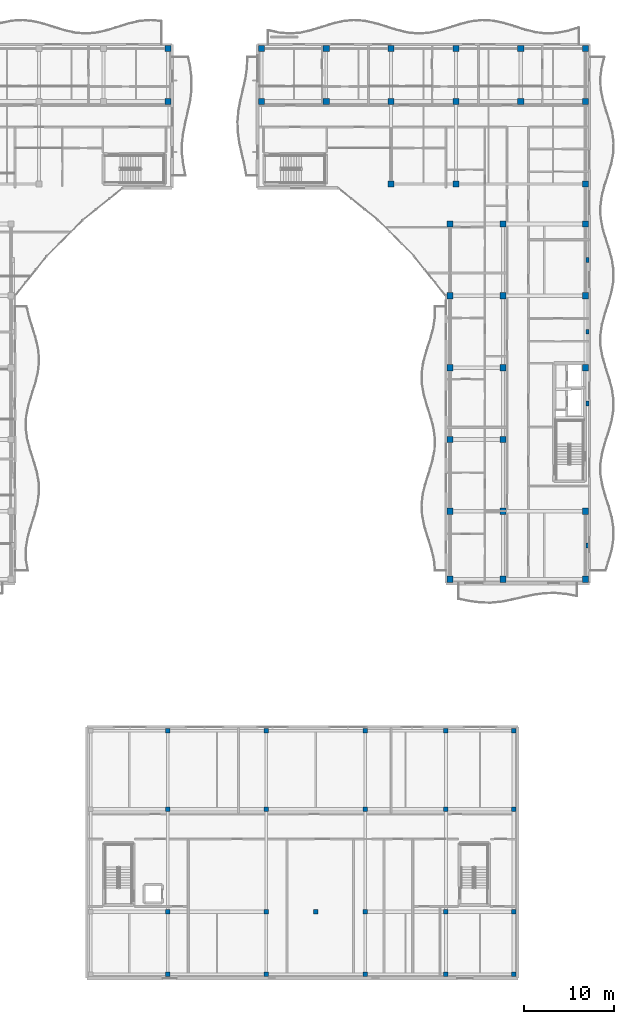
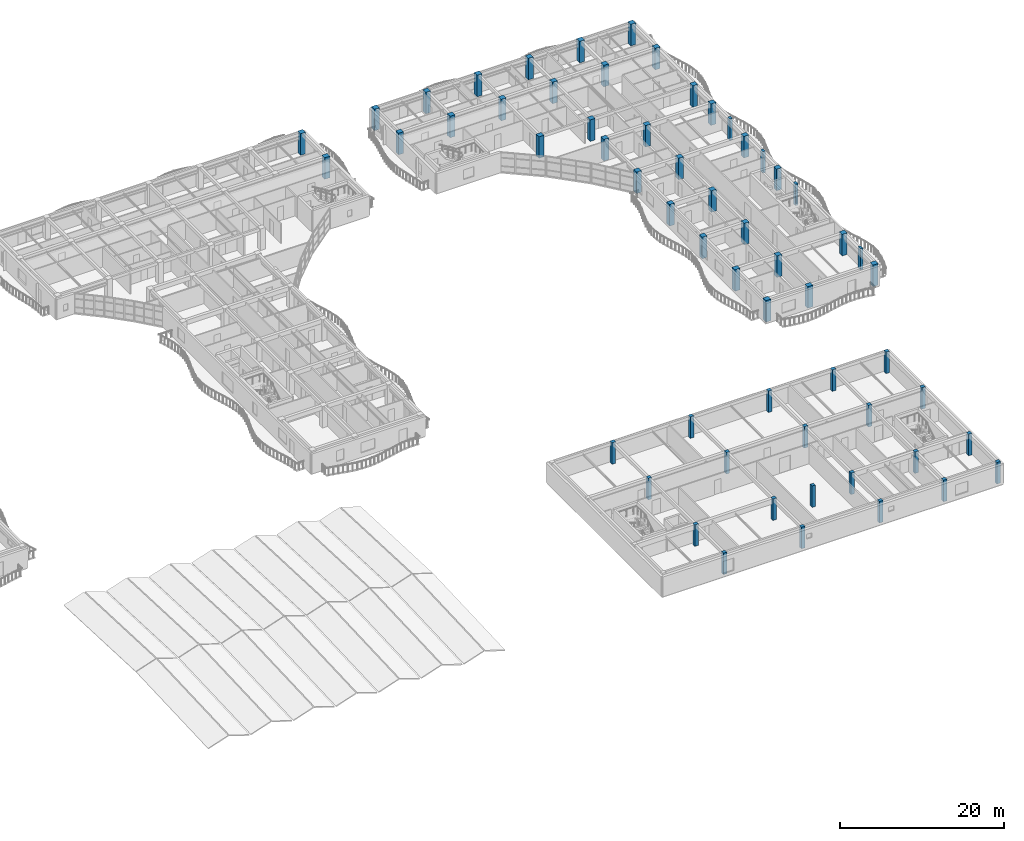
# One storey, part 3 of 89: 59 columns.
"""IFC4 building model written with IfcOpenShell, lengths in metres."""

from ifc_helpers import new_model, si_unit, direction, frame, origin, origin_2d, place, context, subcontext, project, spatial, rectangle, extrude, material, material_profile, profile_set, type_object, element, save


model = new_model("IFC4")

# Units and contexts
model_context = context("Model", 3, precision=1e-05, world=origin(), true_north=direction((0.0, 1.0)))
body_context = subcontext(model_context, "Body", "Model", "MODEL_VIEW")
ifc_project = project(units=[si_unit("LENGTHUNIT", "METRE"), si_unit("AREAUNIT", "SQUARE_METRE"), si_unit("VOLUMEUNIT", "CUBIC_METRE"), si_unit("PLANEANGLEUNIT", "RADIAN"), si_unit("MASSUNIT", "GRAM", prefix="KILO")], contexts=[model_context])

# Site, building, storey
site_placement = place(None, origin())
site = spatial("IfcSite", under=ifc_project, at=site_placement, CompositionType="ELEMENT")
building_placement = place(site_placement, origin())
building = spatial("IfcBuilding", under=site, at=building_placement, Name="Keldmere Railside Commons", CompositionType="ELEMENT")
storey_placement = place(building_placement, frame((0.0, 0.0, 7.360107421875)))
storey = spatial("IfcBuildingStorey", under=building, at=storey_placement, Name="L02", CompositionType="ELEMENT", Elevation=7.360107421875)

# Columns
ifc_material_1 = material(Name="Architectural Precast Concrete H-35 (C35/45)", Category="concrete")
ifc_material_profile_1 = material_profile(ifc_material_1, rectangle(XDim=0.35009765625, YDim=0.550048828125, at=origin_2d()), Name="RC-350x550")
ifc_profile_set_1 = profile_set([ifc_material_profile_1], Name="Architectural Precast Concrete H-35 (C35/45)")
column_type_1 = type_object("IfcColumnType", Name="Facade Precast Pilaster Column 350x550", PredefinedType="PILASTER", material=ifc_profile_set_1)
for number, where, z_axis, x_axis, name in (
    (1, (183.780029296875, 60.199951171875, 0.0), (0.0, 0.0, 1.0), (1.0, 0.0, 0.0), "C-PIL COL-L02-1915"),
    (2, (183.780029296875, 76.0, 0.0), (0.0, 0.0, 1.0), (1.0, 0.0, 0.0), "C-PIL COL-L02-1920"),
    (3, (183.780029296875, 84.0, 0.0), (0.0, 0.0, 1.0), (1.0, 0.0, 0.0), "C-PIL COL-L02-1925"),
    (4, (183.780029296875, 92.0, 0.0), (0.0, 0.0, 1.0), (1.0, 0.0, 0.0), "C-PIL COL-L02-1930"),
):
    element("IfcColumn", number, at=place(storey_placement, frame(where, z_axis=z_axis, x_axis=x_axis)), inside=storey, type_object=column_type_1, Name=name, PredefinedType="PILASTER", context=body_context, shape_type="SweptSolid", body=[
        extrude(rectangle(XDim=0.35009765625, YDim=0.550048828125, at=origin_2d()), origin(), (0.0, 0.0, 1.0), 3.199951171875),
    ])
ifc_material_2 = material(Name="Concrete H-40 (C40/50)", Category="concrete")
ifc_material_profile_2 = material_profile(ifc_material_2, rectangle(XDim=0.699951171875, YDim=0.699951171875, at=origin_2d()), Name="RC-700x700")
ifc_profile_set_2 = profile_set([ifc_material_profile_2], Name="Concrete H-40 (C40/50)")
column_type_2 = type_object("IfcColumnType", Name="Lower Residential RC Column 700x700", PredefinedType="COLUMN", material=ifc_profile_set_2)
for number, where, z_axis, x_axis, name in (
    (5, (137.050048828125, 109.64990234375, 0.0), (0.0, 0.0, 1.0), (1.0, 0.0, 0.0), "C-700 COL-L02-1345"),
    (6, (137.050048828125, 115.550048828125, 0.0), (0.0, 0.0, 1.0), (1.0, 0.0, 0.0), "C-700 COL-L02-1358"),
    (7, (147.449951171875, 109.64990234375, 0.0), (0.0, 0.0, 1.0), (1.0, 0.0, 0.0), "C-700 COL-L02-1375"),
    (8, (147.449951171875, 115.550048828125, 0.0), (0.0, 0.0, 1.0), (1.0, 0.0, 0.0), "C-700 COL-L02-1390"),
    (9, (154.669921875, 109.64990234375, 0.0), (0.0, 0.0, 1.0), (1.0, 0.0, 0.0), "C-700 COL-L02-1427"),
    (10, (154.669921875, 115.550048828125, 0.0), (0.0, 0.0, 1.0), (1.0, 0.0, 0.0), "C-700 COL-L02-1442"),
    (11, (161.889892578125, 100.449951171875, 0.0), (0.0, 0.0, 1.0), (1.0, 0.0, 0.0), "C-700 COL-L02-1480"),
    (12, (161.889892578125, 109.64990234375, 0.0), (0.0, 0.0, 1.0), (1.0, 0.0, 0.0), "C-700 COL-L02-1496"),
    (13, (161.889892578125, 115.550048828125, 0.0), (0.0, 0.0, 1.0), (1.0, 0.0, 0.0), "C-700 COL-L02-1511"),
    (14, (168.449951171875, 56.449951171875, 0.0), (0.0, 0.0, 1.0), (1.0, 0.0, 0.0), "C-700 COL-L02-1546"),
    (15, (168.449951171875, 64.0, 0.0), (0.0, 0.0, 1.0), (1.0, 0.0, 0.0), "C-700 COL-L02-1556"),
    (16, (168.449951171875, 72.0, 0.0), (0.0, 0.0, 1.0), (1.0, 0.0, 0.0), "C-700 COL-L02-1570"),
    (17, (168.449951171875, 80.0, 0.0), (0.0, 0.0, 1.0), (1.0, 0.0, 0.0), "C-700 COL-L02-1585"),
    (18, (168.449951171875, 88.0, 0.0), (0.0, 0.0, 1.0), (1.0, 0.0, 0.0), "C-700 COL-L02-1600"),
    (19, (168.449951171875, 96.0, 0.0), (0.0, 0.0, 1.0), (1.0, 0.0, 0.0), "C-700 COL-L02-1615"),
    (20, (169.110107421875, 100.449951171875, 0.0), (0.0, 0.0, 1.0), (1.0, 0.0, 0.0), "C-700 COL-L02-1630"),
    (21, (169.110107421875, 109.64990234375, 0.0), (0.0, 0.0, 1.0), (1.0, 0.0, 0.0), "C-700 COL-L02-1646"),
    (22, (169.110107421875, 115.550048828125, 0.0), (0.0, 0.0, 1.0), (1.0, 0.0, 0.0), "C-700 COL-L02-1661"),
    (23, (174.35009765625, 56.449951171875, 0.0), (0.0, 0.0, 1.0), (1.0, 0.0, 0.0), "C-700 COL-L02-1672"),
    (24, (174.35009765625, 64.0, 0.0), (0.0, 0.0, 1.0), (1.0, 0.0, 0.0), "C-700 COL-L02-1682"),
    (25, (174.35009765625, 72.0, 0.0), (0.0, 0.0, 1.0), (1.0, 0.0, 0.0), "C-700 COL-L02-1696"),
    (26, (174.35009765625, 80.0, 0.0), (0.0, 0.0, 1.0), (1.0, 0.0, 0.0), "C-700 COL-L02-1711"),
    (27, (174.35009765625, 88.0, 0.0), (0.0, 0.0, 1.0), (1.0, 0.0, 0.0), "C-700 COL-L02-1726"),
    (28, (174.35009765625, 96.0, 0.0), (0.0, 0.0, 1.0), (1.0, 0.0, 0.0), "C-700 COL-L02-1741"),
    (29, (176.330078125, 109.64990234375, 0.0), (0.0, 0.0, 1.0), (1.0, 0.0, 0.0), "C-700 COL-L02-1774"),
    (30, (176.330078125, 115.550048828125, 0.0), (0.0, 0.0, 1.0), (1.0, 0.0, 0.0), "C-700 COL-L02-1789"),
    (31, (183.550048828125, 56.449951171875, 0.0), (0.0, 0.0, 1.0), (1.0, 0.0, 0.0), "C-700 COL-L02-1804"),
    (32, (183.550048828125, 64.0, 0.0), (0.0, 0.0, 1.0), (1.0, 0.0, 0.0), "C-700 COL-L02-1814"),
    (33, (183.550048828125, 80.0, 0.0), (0.0, 0.0, 1.0), (1.0, 0.0, 0.0), "C-700 COL-L02-1828"),
    (34, (183.550048828125, 88.0, 0.0), (0.0, 0.0, 1.0), (1.0, 0.0, 0.0), "C-700 COL-L02-1843"),
    (35, (183.550048828125, 96.0, 0.0), (0.0, 0.0, 1.0), (1.0, 0.0, 0.0), "C-700 COL-L02-1858"),
    (36, (183.550048828125, 100.449951171875, 0.0), (0.0, 0.0, 1.0), (1.0, 0.0, 0.0), "C-700 COL-L02-1873"),
    (37, (183.550048828125, 109.64990234375, 0.0), (0.0, 0.0, 1.0), (1.0, 0.0, 0.0), "C-700 COL-L02-1889"),
    (38, (183.550048828125, 115.550048828125, 0.0), (0.0, 0.0, 1.0), (1.0, 0.0, 0.0), "C-700 COL-L02-1904"),
):
    element("IfcColumn", number, at=place(storey_placement, frame(where, z_axis=z_axis, x_axis=x_axis)), inside=storey, type_object=column_type_2, Name=name, PredefinedType="COLUMN", context=body_context, shape_type="SweptSolid", body=[
        extrude(rectangle(XDim=0.699951171875, YDim=0.699951171875, at=origin_2d()), origin(), (0.0, 0.0, 1.0), 3.199951171875),
    ])
ifc_material_3 = material(Name="Concrete H-35 (C35/45)", Category="concrete")
ifc_material_profile_3 = material_profile(ifc_material_3, rectangle(XDim=0.449951171875, YDim=0.449951171875, at=origin_2d()), Name="RC-450x450")
ifc_profile_set_3 = profile_set([ifc_material_profile_3], Name="Concrete H-35 (C35/45)")
column_type_3 = type_object("IfcColumnType", Name="Top-Tier & Nursery RC Column 450x450", PredefinedType="COLUMN", material=ifc_profile_set_3)
column_placement = place(storey_placement, frame((153.5, 19.39990234375, 0.0), z_axis=(0.0, 0.0, 1.0), x_axis=(1.0, 0.0, 0.0)))
element("IfcColumn", 39, at=column_placement, inside=storey, type_object=column_type_3, Name="C-450 COL-L02-1423", PredefinedType="COLUMN", context=body_context, shape_type="SweptSolid", body=[
    extrude(rectangle(XDim=0.449951171875, YDim=0.449951171875, at=origin_2d()), origin(), (0.0, 0.0, 1.0), 3.199951171875),
])
ifc_material_profile_4 = material_profile(ifc_material_3, rectangle(XDim=0.5, YDim=0.5, at=origin_2d()), Name="RC-500x500")
ifc_profile_set_4 = profile_set([ifc_material_profile_4], Name="Concrete H-35 (C35/45)")
column_type_4 = type_object("IfcColumnType", Name="Upper Residential RC Column 500x500", PredefinedType="COLUMN", material=ifc_profile_set_4)
for number, where, z_axis, x_axis, name in (
    (40, (137.0, 12.449951171875, 0.0), (0.0, 0.0, 1.0), (1.0, 0.0, 0.0), "C-500 COL-L02-1327"),
    (41, (137.0, 19.39990234375, 0.0), (0.0, 0.0, 1.0), (1.0, 0.0, 0.0), "C-500 COL-L02-1331"),
    (42, (137.0, 30.800048828125, 0.0), (0.0, 0.0, 1.0), (1.0, 0.0, 0.0), "C-500 COL-L02-1336"),
    (43, (137.0, 39.550048828125, 0.0), (0.0, 0.0, 1.0), (1.0, 0.0, 0.0), "C-500 COL-L02-1341"),
    (44, (148.0, 12.449951171875, 0.0), (0.0, 0.0, 1.0), (1.0, 0.0, 0.0), "C-500 COL-L02-1401"),
    (45, (148.0, 19.39990234375, 0.0), (0.0, 0.0, 1.0), (1.0, 0.0, 0.0), "C-500 COL-L02-1405"),
    (46, (148.0, 30.800048828125, 0.0), (0.0, 0.0, 1.0), (1.0, 0.0, 0.0), "C-500 COL-L02-1410"),
    (47, (148.0, 39.550048828125, 0.0), (0.0, 0.0, 1.0), (1.0, 0.0, 0.0), "C-500 COL-L02-1415"),
    (48, (159.0, 12.449951171875, 0.0), (0.0, 0.0, 1.0), (1.0, 0.0, 0.0), "C-500 COL-L02-1457"),
    (49, (159.0, 19.39990234375, 0.0), (0.0, 0.0, 1.0), (1.0, 0.0, 0.0), "C-500 COL-L02-1461"),
    (50, (159.0, 30.800048828125, 0.0), (0.0, 0.0, 1.0), (1.0, 0.0, 0.0), "C-500 COL-L02-1466"),
    (51, (159.0, 39.550048828125, 0.0), (0.0, 0.0, 1.0), (1.0, 0.0, 0.0), "C-500 COL-L02-1471"),
    (52, (168.0, 12.449951171875, 0.0), (0.0, 0.0, 1.0), (1.0, 0.0, 0.0), "C-500 COL-L02-1524"),
    (53, (168.0, 19.39990234375, 0.0), (0.0, 0.0, 1.0), (1.0, 0.0, 0.0), "C-500 COL-L02-1528"),
    (54, (168.0, 30.800048828125, 0.0), (0.0, 0.0, 1.0), (1.0, 0.0, 0.0), "C-500 COL-L02-1533"),
    (55, (168.0, 39.550048828125, 0.0), (0.0, 0.0, 1.0), (1.0, 0.0, 0.0), "C-500 COL-L02-1538"),
    (56, (175.550048828125, 12.449951171875, 0.0), (0.0, 0.0, 1.0), (1.0, 0.0, 0.0), "C-500 COL-L02-1758"),
    (57, (175.550048828125, 19.39990234375, 0.0), (0.0, 0.0, 1.0), (1.0, 0.0, 0.0), "C-500 COL-L02-1762"),
    (58, (175.550048828125, 30.800048828125, 0.0), (0.0, 0.0, 1.0), (1.0, 0.0, 0.0), "C-500 COL-L02-1766"),
    (59, (175.550048828125, 39.550048828125, 0.0), (0.0, 0.0, 1.0), (1.0, 0.0, 0.0), "C-500 COL-L02-1770"),
):
    element("IfcColumn", number, at=place(storey_placement, frame(where, z_axis=z_axis, x_axis=x_axis)), inside=storey, type_object=column_type_4, Name=name, PredefinedType="COLUMN", context=body_context, shape_type="SweptSolid", body=[
        extrude(rectangle(XDim=0.5, YDim=0.5, at=origin_2d()), origin(), (0.0, 0.0, 1.0), 3.199951171875),
    ])

save(model, "model.ifc")
